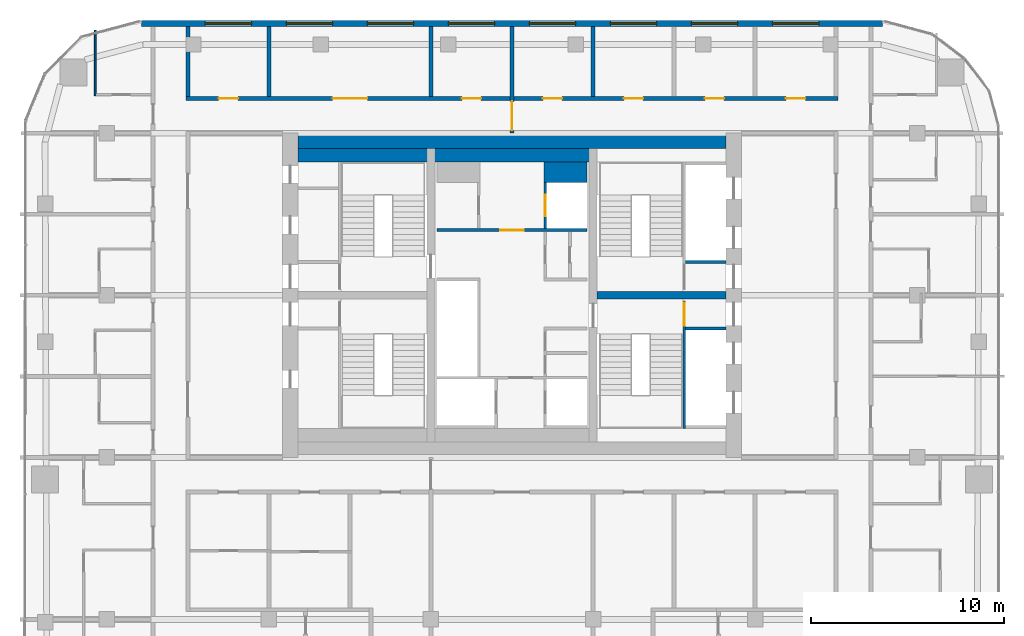
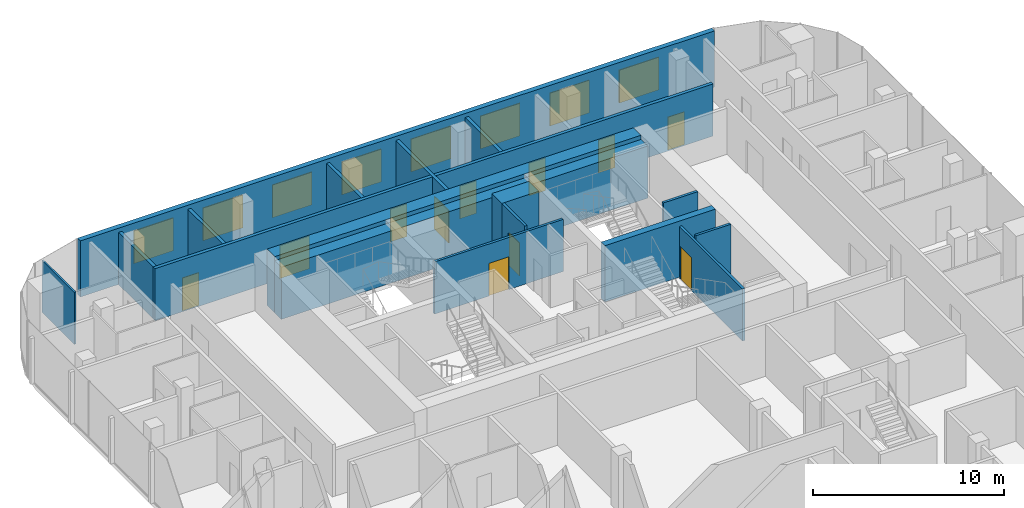
# One storey, part 19 of 22: 17 walls, 11 doors, 8 windows, 19 openings.
"""IFC4 building model written with IfcOpenShell, lengths in metres."""

from ifc_helpers import new_model, si_unit, direction, frame, frame_2d, origin, place, context, subcontext, project, spatial, rectangle, extrude, material, layer, layer_set, type_object, element, fill, save


model = new_model("IFC4")

# Units and contexts
model_context = context("Model", 3, precision=1e-05, world=origin(), true_north=direction((0.0, 1.0)))
body_context = subcontext(model_context, "Body", "Model", "MODEL_VIEW")
ifc_project = project(units=[si_unit("LENGTHUNIT", "METRE"), si_unit("AREAUNIT", "SQUARE_METRE"), si_unit("VOLUMEUNIT", "CUBIC_METRE"), si_unit("PLANEANGLEUNIT", "RADIAN"), si_unit("MASSUNIT", "GRAM", prefix="KILO")], contexts=[model_context])

# Site, building, storey
site_placement = place(None, origin())
site = spatial("IfcSite", under=ifc_project, at=site_placement, CompositionType="ELEMENT")
building_placement = place(site_placement, origin())
building = spatial("IfcBuilding", under=site, at=building_placement, Name="Marenta Gate Hotel Tower", CompositionType="ELEMENT")
storey_placement = place(building_placement, frame((0.0, 0.0, 230.89990234375)))
storey = spatial("IfcBuildingStorey", under=building, at=storey_placement, Name="L54", CompositionType="ELEMENT", Elevation=230.89990234375)

# Wall, openings, windows
ifc_material_1 = material(Name="Concrete C40 board-marked", Category="concrete")
ifc_layer_1 = layer(ifc_material_1, 0.300048828125)
ifc_layer_set_1 = layer_set([ifc_layer_1], Name="Concrete C40 board-marked")
wall_type_1 = type_object("IfcWallType", Name="Board-marked concrete wall 300 mm", PredefinedType="NOTDEFINED", material=ifc_layer_set_1)
wall_1_placement = place(storey_placement, frame((19.205810546875, 22.489990234375, 0.0), z_axis=(0.0, 0.0, 1.0), x_axis=(-1.0, 0.0, 0.0)))
wall_1 = element("IfcWall", 1, at=wall_1_placement, inside=storey, type_object=wall_type_1, Name="L54-CLD-N00", PredefinedType="NOTDEFINED", context=body_context, shape_type="SweptSolid", body=[
    extrude(rectangle(XDim=38.41162109375, YDim=0.300048828125, at=frame_2d((19.205810546875, 0.0))), origin(), (0.0, 0.0, 1.0), 3.60009765625),
])
opening_1_placement = place(wall_1_placement, frame((3.305908203125, 0.0, 0.89990234375)))
opening_1 = element("IfcOpeningElement", 2, at=opening_1_placement, cuts=wall_1, Name="Opening W1", PredefinedType="OPENING", context=body_context, shape_type="SweptSolid", body=[
    extrude(rectangle(XDim=2.39990234375, YDim=2.10009765625, at=frame_2d((1.199951171875, 1.050048828125))), frame((0.0, 0.14990234375, 0.0), z_axis=(0.0, -1.0, 0.0), x_axis=(1.0, 0.0, 0.0)), (0.0, 0.0, 1.0), 0.300048828125),
])
opening_2_placement = place(wall_1_placement, frame((7.505859375, 0.0, 0.89990234375)))
opening_2 = element("IfcOpeningElement", 3, at=opening_2_placement, cuts=wall_1, Name="Opening W1", PredefinedType="OPENING", context=body_context, shape_type="SweptSolid", body=[
    extrude(rectangle(XDim=2.39990234375, YDim=2.10009765625, at=frame_2d((1.199951171875, 1.050048828125))), frame((0.0, 0.14990234375, 0.0), z_axis=(0.0, -1.0, 0.0), x_axis=(1.0, 0.0, 0.0)), (0.0, 0.0, 1.0), 0.300048828125),
])
opening_3_placement = place(wall_1_placement, frame((11.705810546875, 0.0, 0.89990234375)))
opening_3 = element("IfcOpeningElement", 4, at=opening_3_placement, cuts=wall_1, Name="Opening W1", PredefinedType="OPENING", context=body_context, shape_type="SweptSolid", body=[
    extrude(rectangle(XDim=2.39990234375, YDim=2.10009765625, at=frame_2d((1.199951171875, 1.050048828125))), frame((0.0, 0.14990234375, 0.0), z_axis=(0.0, -1.0, 0.0), x_axis=(1.0, 0.0, 0.0)), (0.0, 0.0, 1.0), 0.300048828125),
])
opening_4_placement = place(wall_1_placement, frame((15.906005859375, 0.0, 0.89990234375)))
opening_4 = element("IfcOpeningElement", 5, at=opening_4_placement, cuts=wall_1, Name="Opening W1", PredefinedType="OPENING", context=body_context, shape_type="SweptSolid", body=[
    extrude(rectangle(XDim=2.39990234375, YDim=2.10009765625, at=frame_2d((1.199951171875, 1.050048828125))), frame((0.0, 0.14990234375, 0.0), z_axis=(0.0, -1.0, 0.0), x_axis=(1.0, 0.0, 0.0)), (0.0, 0.0, 1.0), 0.300048828125),
])
opening_5_placement = place(wall_1_placement, frame((20.10595703125, 0.0, 0.89990234375)))
opening_5 = element("IfcOpeningElement", 6, at=opening_5_placement, cuts=wall_1, Name="Opening W1", PredefinedType="OPENING", context=body_context, shape_type="SweptSolid", body=[
    extrude(rectangle(XDim=2.39990234375, YDim=2.10009765625, at=frame_2d((1.199951171875, 1.050048828125))), frame((0.0, 0.14990234375, 0.0), z_axis=(0.0, -1.0, 0.0), x_axis=(1.0, 0.0, 0.0)), (0.0, 0.0, 1.0), 0.300048828125),
])
opening_6_placement = place(wall_1_placement, frame((24.305908203125, 0.0, 0.89990234375)))
opening_6 = element("IfcOpeningElement", 7, at=opening_6_placement, cuts=wall_1, Name="Opening W1", PredefinedType="OPENING", context=body_context, shape_type="SweptSolid", body=[
    extrude(rectangle(XDim=2.39990234375, YDim=2.10009765625, at=frame_2d((1.199951171875, 1.050048828125))), frame((0.0, 0.14990234375, 0.0), z_axis=(0.0, -1.0, 0.0), x_axis=(1.0, 0.0, 0.0)), (0.0, 0.0, 1.0), 0.300048828125),
])
opening_7_placement = place(wall_1_placement, frame((28.505859375, 0.0, 0.89990234375)))
opening_7 = element("IfcOpeningElement", 8, at=opening_7_placement, cuts=wall_1, Name="Opening W1", PredefinedType="OPENING", context=body_context, shape_type="SweptSolid", body=[
    extrude(rectangle(XDim=2.39990234375, YDim=2.10009765625, at=frame_2d((1.199951171875, 1.050048828125))), frame((0.0, 0.14990234375, 0.0), z_axis=(0.0, -1.0, 0.0), x_axis=(1.0, 0.0, 0.0)), (0.0, 0.0, 1.0), 0.300048828125),
])
opening_8_placement = place(wall_1_placement, frame((32.705810546875, 0.0, 0.89990234375)))
opening_8 = element("IfcOpeningElement", 9, at=opening_8_placement, cuts=wall_1, Name="Opening W1", PredefinedType="OPENING", context=body_context, shape_type="SweptSolid", body=[
    extrude(rectangle(XDim=2.39990234375, YDim=2.10009765625, at=frame_2d((1.199951171875, 1.050048828125))), frame((0.0, 0.14990234375, 0.0), z_axis=(0.0, -1.0, 0.0), x_axis=(1.0, 0.0, 0.0)), (0.0, 0.0, 1.0), 0.300048828125),
])
ifc_material_2 = material(Name="Tinted insulated glass in bronze anodised frame", Category="glass")
window_type = type_object("IfcWindowType", Name="Window W1 2400x2100 bronze frame", PartitioningType="SINGLE_PANEL", PredefinedType="WINDOW", material=ifc_material_2)
window_1_placement = place(opening_1_placement, origin())
window_1 = element("IfcWindow", 10, at=window_1_placement, inside=storey, type_object=window_type, Name="Window W1", OverallHeight=2.10009765625, OverallWidth=2.39990234375, PartitioningType="SINGLE_PANEL", PredefinedType="WINDOW", context=body_context, shape_type="SweptSolid", body=[
    extrude(rectangle(XDim=2.39990234375, YDim=2.10009765625, at=frame_2d((1.199951171875, 1.050048828125))), frame((0.0, 0.030029296875, 0.0), z_axis=(0.0, -1.0, 0.0), x_axis=(1.0, 0.0, 0.0)), (0.0, 0.0, 1.0), 0.06005859375),
])
fill(opening_1, window_1)
window_2_placement = place(opening_2_placement, origin())
window_2 = element("IfcWindow", 11, at=window_2_placement, inside=storey, type_object=window_type, Name="Window W1", OverallHeight=2.10009765625, OverallWidth=2.39990234375, PartitioningType="SINGLE_PANEL", PredefinedType="WINDOW", context=body_context, shape_type="SweptSolid", body=[
    extrude(rectangle(XDim=2.39990234375, YDim=2.10009765625, at=frame_2d((1.199951171875, 1.050048828125))), frame((0.0, 0.030029296875, 0.0), z_axis=(0.0, -1.0, 0.0), x_axis=(1.0, 0.0, 0.0)), (0.0, 0.0, 1.0), 0.06005859375),
])
fill(opening_2, window_2)
window_3_placement = place(opening_3_placement, origin())
window_3 = element("IfcWindow", 12, at=window_3_placement, inside=storey, type_object=window_type, Name="Window W1", OverallHeight=2.10009765625, OverallWidth=2.39990234375, PartitioningType="SINGLE_PANEL", PredefinedType="WINDOW", context=body_context, shape_type="SweptSolid", body=[
    extrude(rectangle(XDim=2.39990234375, YDim=2.10009765625, at=frame_2d((1.199951171875, 1.050048828125))), frame((0.0, 0.030029296875, 0.0), z_axis=(0.0, -1.0, 0.0), x_axis=(1.0, 0.0, 0.0)), (0.0, 0.0, 1.0), 0.06005859375),
])
fill(opening_3, window_3)
window_4_placement = place(opening_4_placement, origin())
window_4 = element("IfcWindow", 13, at=window_4_placement, inside=storey, type_object=window_type, Name="Window W1", OverallHeight=2.10009765625, OverallWidth=2.39990234375, PartitioningType="SINGLE_PANEL", PredefinedType="WINDOW", context=body_context, shape_type="SweptSolid", body=[
    extrude(rectangle(XDim=2.39990234375, YDim=2.10009765625, at=frame_2d((1.199951171875, 1.050048828125))), frame((0.0, 0.030029296875, 0.0), z_axis=(0.0, -1.0, 0.0), x_axis=(1.0, 0.0, 0.0)), (0.0, 0.0, 1.0), 0.06005859375),
])
fill(opening_4, window_4)
window_5_placement = place(opening_5_placement, origin())
window_5 = element("IfcWindow", 14, at=window_5_placement, inside=storey, type_object=window_type, Name="Window W1", OverallHeight=2.10009765625, OverallWidth=2.39990234375, PartitioningType="SINGLE_PANEL", PredefinedType="WINDOW", context=body_context, shape_type="SweptSolid", body=[
    extrude(rectangle(XDim=2.39990234375, YDim=2.10009765625, at=frame_2d((1.199951171875, 1.050048828125))), frame((0.0, 0.030029296875, 0.0), z_axis=(0.0, -1.0, 0.0), x_axis=(1.0, 0.0, 0.0)), (0.0, 0.0, 1.0), 0.06005859375),
])
fill(opening_5, window_5)
window_6_placement = place(opening_6_placement, origin())
window_6 = element("IfcWindow", 15, at=window_6_placement, inside=storey, type_object=window_type, Name="Window W1", OverallHeight=2.10009765625, OverallWidth=2.39990234375, PartitioningType="SINGLE_PANEL", PredefinedType="WINDOW", context=body_context, shape_type="SweptSolid", body=[
    extrude(rectangle(XDim=2.39990234375, YDim=2.10009765625, at=frame_2d((1.199951171875, 1.050048828125))), frame((0.0, 0.030029296875, 0.0), z_axis=(0.0, -1.0, 0.0), x_axis=(1.0, 0.0, 0.0)), (0.0, 0.0, 1.0), 0.06005859375),
])
fill(opening_6, window_6)
window_7_placement = place(opening_7_placement, origin())
window_7 = element("IfcWindow", 16, at=window_7_placement, inside=storey, type_object=window_type, Name="Window W1", OverallHeight=2.10009765625, OverallWidth=2.39990234375, PartitioningType="SINGLE_PANEL", PredefinedType="WINDOW", context=body_context, shape_type="SweptSolid", body=[
    extrude(rectangle(XDim=2.39990234375, YDim=2.10009765625, at=frame_2d((1.199951171875, 1.050048828125))), frame((0.0, 0.030029296875, 0.0), z_axis=(0.0, -1.0, 0.0), x_axis=(1.0, 0.0, 0.0)), (0.0, 0.0, 1.0), 0.06005859375),
])
fill(opening_7, window_7)
window_8_placement = place(opening_8_placement, origin())
window_8 = element("IfcWindow", 17, at=window_8_placement, inside=storey, type_object=window_type, Name="Window W1", OverallHeight=2.10009765625, OverallWidth=2.39990234375, PartitioningType="SINGLE_PANEL", PredefinedType="WINDOW", context=body_context, shape_type="SweptSolid", body=[
    extrude(rectangle(XDim=2.39990234375, YDim=2.10009765625, at=frame_2d((1.199951171875, 1.050048828125))), frame((0.0, 0.030029296875, 0.0), z_axis=(0.0, -1.0, 0.0), x_axis=(1.0, 0.0, 0.0)), (0.0, 0.0, 1.0), 0.06005859375),
])
fill(opening_8, window_8)

# Wall, opening, door
ifc_material_3 = material(Name="Concrete blockwork", Category="masonry")
ifc_layer_2 = layer(ifc_material_3, 0.199951171875)
ifc_layer_set_2 = layer_set([ifc_layer_2], Name="Concrete blockwork")
wall_type_2 = type_object("IfcWallType", Name="Compartment wall 200 REI 180", PredefinedType="PARTITIONING", material=ifc_layer_set_2)
wall_2_placement = place(storey_placement, frame((0.0, 16.800048828125, 0.0), z_axis=(0.0, 0.0, 1.0), x_axis=(0.0, 1.0, 0.0)))
wall_2 = element("IfcWall", 18, at=wall_2_placement, inside=storey, type_object=wall_type_2, Name="L54-PTN-W073", PredefinedType="PARTITIONING", context=body_context, shape_type="SweptSolid", body=[
    extrude(rectangle(XDim=5.5400390625, YDim=0.199951171875, at=frame_2d((2.77001953125, 0.0))), origin(), (0.0, 0.0, 1.0), 3.340087890625),
])
opening_9_placement = place(wall_2_placement, frame((0.14990234375, 0.0, 0.0)))
opening_9 = element("IfcOpeningElement", 19, at=opening_9_placement, cuts=wall_2, Name="Opening G20-FD1", PredefinedType="OPENING", context=body_context, shape_type="SweptSolid", body=[
    extrude(rectangle(XDim=1.5, YDim=2.10009765625, at=frame_2d((0.75, 1.050048828125))), frame((0.0, 0.10009765625, 0.0), z_axis=(0.0, -1.0, 0.0), x_axis=(1.0, 0.0, 0.0)), (0.0, 0.0, 1.0), 0.199951171875),
])
ifc_material_4 = material(Name="Hollow steel door set", Category="steel")
door_type_1 = type_object("IfcDoorType", Name="Compartment fire door 1500x2100 EI 60", OperationType="DOUBLE_DOOR_DOUBLE_SWING", PredefinedType="DOOR", material=ifc_material_4)
door_1_placement = place(opening_9_placement, origin())
door_1 = element("IfcDoor", 20, at=door_1_placement, inside=storey, type_object=door_type_1, Name="L54-PD-FD01", OperationType="DOUBLE_DOOR_DOUBLE_SWING", OverallHeight=2.10009765625, OverallWidth=1.5, PredefinedType="DOOR", context=body_context, shape_type="SweptSolid", body=[
    extrude(rectangle(XDim=1.5, YDim=2.10009765625, at=frame_2d((0.75, 1.050048828125))), frame((0.0, 0.02490234375, 0.0), z_axis=(0.0, -1.0, 0.0), x_axis=(1.0, 0.0, 0.0)), (0.0, 0.0, 1.0), 0.050048828125),
])
fill(opening_9, door_1)

# Wall
ifc_material_5 = material(Name="Concrete C40", Category="concrete")
ifc_layer_3 = layer(ifc_material_5, 0.699951171875)
ifc_layer_set_3 = layer_set([ifc_layer_3], Name="Concrete C40")
wall_type_3 = type_object("IfcWallType", Name="Core lining wall 700 REI 180", PredefinedType="PARTITIONING", material=ifc_layer_set_3)
wall_3_placement = place(storey_placement, frame((-11.10009765625, 15.64990234375, 0.0), z_axis=(0.0, 0.0, 1.0), x_axis=(1.0, 0.0, 0.0)))
element("IfcWall", 21, at=wall_3_placement, inside=storey, type_object=wall_type_3, Name="L54-CP-LN-N", PredefinedType="PARTITIONING", context=body_context, shape_type="SweptSolid", body=[
    extrude(rectangle(XDim=22.2001953125, YDim=0.699951171875, at=frame_2d((11.10009765625, 0.0))), origin(), (0.0, 0.0, 1.0), 3.340087890625),
])

# Wall, opening, door
ifc_material_6 = material(Name="Concrete blockwork", Category="masonry")
ifc_layer_4 = layer(ifc_material_6, 0.14990234375)
ifc_layer_set_4 = layer_set([ifc_layer_4], Name="Concrete blockwork")
wall_type_4 = type_object("IfcWallType", Name="Core lobby partition 150 REI 180", PredefinedType="PARTITIONING", material=ifc_layer_set_4)
wall_4_placement = place(storey_placement, frame((-3.89990234375, 11.77490234375, 0.0), z_axis=(0.0, 0.0, 1.0), x_axis=(1.0, 0.0, 0.0)))
wall_4 = element("IfcWall", 22, at=wall_4_placement, inside=storey, type_object=wall_type_4, Name="L54-CP-CW-N", PredefinedType="PARTITIONING", context=body_context, shape_type="SweptSolid", body=[
    extrude(rectangle(XDim=7.7998046875, YDim=0.14990234375, at=frame_2d((3.89990234375, 0.0))), origin(), (0.0, 0.0, 1.0), 3.340087890625),
])
opening_10_placement = place(wall_4_placement, frame((3.300048828125, 0.0, 0.0)))
opening_10 = element("IfcOpeningElement", 23, at=opening_10_placement, cuts=wall_4, Name="Opening FD-FFN", PredefinedType="OPENING", context=body_context, shape_type="SweptSolid", body=[
    extrude(rectangle(XDim=1.199951171875, YDim=2.10009765625, at=frame_2d((0.60009765625, 1.050048828125))), frame((0.0, 0.074951171875, 0.0), z_axis=(0.0, -1.0, 0.0), x_axis=(1.0, 0.0, 0.0)), (0.0, 0.0, 1.0), 0.14990234375),
])
ifc_material_7 = material(Name="Steel", Category="steel")
door_type_2 = type_object("IfcDoorType", Name="Core lobby door 1200x2100 FD60", OperationType="SINGLE_SWING_LEFT", PredefinedType="DOOR", material=ifc_material_7)
door_2_placement = place(opening_10_placement, origin())
door_2 = element("IfcDoor", 24, at=door_2_placement, inside=storey, type_object=door_type_2, Name="FD-FFN", OperationType="SINGLE_SWING_LEFT", OverallHeight=2.10009765625, OverallWidth=1.199951171875, PredefinedType="DOOR", context=body_context, shape_type="SweptSolid", body=[
    extrude(rectangle(XDim=1.199951171875, YDim=2.10009765625, at=frame_2d((0.60009765625, 1.050048828125))), frame((0.0, 0.02490234375, 0.0), z_axis=(0.0, -1.0, 0.0), x_axis=(1.0, 0.0, 0.0)), (0.0, 0.0, 1.0), 0.050048828125),
])
fill(opening_10, door_2)

# Walls
ifc_material_8 = material(Name="Concrete C40", Category="concrete")
ifc_layer_5 = layer(ifc_material_8, 1.050048828125)
ifc_layer_set_5 = layer_set([ifc_layer_5], Name="Concrete C40")
wall_type_5 = type_object("IfcWallType", Name="Core shaft wall 1050 REI 180", PredefinedType="SHEAR", material=ifc_layer_set_5)
wall_5_placement = place(storey_placement, frame((1.64990234375, 14.77490234375, 0.0), z_axis=(0.0, 0.0, 1.0), x_axis=(1.0, 0.0, 0.0)))
element("IfcWall", 25, at=wall_5_placement, inside=storey, type_object=wall_type_5, Name="L54-SHF-CE-N-top", PredefinedType="SHEAR", context=body_context, shape_type="SweptSolid", body=[
    extrude(rectangle(XDim=2.25, YDim=1.050048828125, at=frame_2d((1.125, 0.0))), origin(), (0.0, 0.0, 1.0), 3.60009765625),
])
ifc_material_9 = material(Name="Concrete C40", Category="concrete")
ifc_layer_6 = layer(ifc_material_9, 0.14990234375)
ifc_layer_set_6 = layer_set([ifc_layer_6], Name="Concrete C40")
wall_type_6 = type_object("IfcWallType", Name="Core shaft wall 150 REI 180", PredefinedType="SHEAR", material=ifc_layer_set_6)
for number, where, z_axis, x_axis, name in (
    (26, (9.0, 6.675048828125, 0.0), (0.0, 0.0, 1.0), (1.0, 0.0, 0.0), "L54-SHF-SW-ES-2"),
    (27, (9.0, 10.125, 0.0), (0.0, 0.0, 1.0), (1.0, 0.0, 0.0), "L54-SHF-SW-EN-2"),
):
    element("IfcWall", number, at=place(storey_placement, frame(where, z_axis=z_axis, x_axis=x_axis)), inside=storey, type_object=wall_type_6, Name=name, PredefinedType="SHEAR", context=body_context, shape_type="SweptSolid", body=[
        extrude(rectangle(XDim=2.10009765625, YDim=0.14990234375, at=frame_2d((1.050048828125, 0.0))), origin(), (0.0, 0.0, 1.0), 3.60009765625),
    ])

# Wall, opening, door
wall_6_placement = place(storey_placement, frame((1.72509765625, 11.85009765625, 0.0), z_axis=(0.0, 0.0, 1.0), x_axis=(0.0, 1.0, 0.0)))
wall_6 = element("IfcWall", 28, at=wall_6_placement, inside=storey, type_object=wall_type_6, Name="L54-SHF-CE-N-front2", PredefinedType="SHEAR", context=body_context, shape_type="SweptSolid", body=[
    extrude(rectangle(XDim=2.39990234375, YDim=0.14990234375, at=frame_2d((1.199951171875, 0.0))), origin(), (0.0, 0.0, 1.0), 3.60009765625),
])
opening_11_placement = place(wall_6_placement, frame((0.64990234375, 0.0, 0.0)))
opening_11 = element("IfcOpeningElement", 29, at=opening_11_placement, cuts=wall_6, Name="Opening LD-FF2", PredefinedType="OPENING", context=body_context, shape_type="SweptSolid", body=[
    extrude(rectangle(XDim=1.10009765625, YDim=2.10009765625, at=frame_2d((0.550048828125, 1.050048828125))), frame((0.0, 0.074951171875, 0.0), z_axis=(0.0, -1.0, 0.0), x_axis=(1.0, 0.0, 0.0)), (0.0, 0.0, 1.0), 0.14990234375),
])
ifc_material_10 = material(Name="Steel", Category="steel")
door_type_3 = type_object("IfcDoorType", Name="Core lift landing door 1100x2100 E 60", OperationType="SLIDING_TO_LEFT", PredefinedType="DOOR", material=ifc_material_10)
door_3_placement = place(opening_11_placement, origin())
door_3 = element("IfcDoor", 30, at=door_3_placement, inside=storey, type_object=door_type_3, Name="LD-FF2", OperationType="SLIDING_TO_LEFT", OverallHeight=2.10009765625, OverallWidth=1.10009765625, PredefinedType="DOOR", context=body_context, shape_type="SweptSolid", body=[
    extrude(rectangle(XDim=1.10009765625, YDim=2.10009765625, at=frame_2d((0.550048828125, 1.050048828125))), frame((0.0, 0.02490234375, 0.0), z_axis=(0.0, -1.0, 0.0), x_axis=(1.0, 0.0, 0.0)), (0.0, 0.0, 1.0), 0.050048828125),
])
fill(opening_11, door_3)

ifc_material_11 = material(Name="Concrete C40", Category="concrete")
ifc_layer_7 = layer(ifc_material_11, 0.14990234375)
ifc_layer_set_7 = layer_set([ifc_layer_7], Name="Concrete C40")
wall_type_7 = type_object("IfcWallType", Name="Core stair enclosure wall 150 REI 180", PredefinedType="SHEAR", material=ifc_layer_set_7)
wall_7_placement = place(storey_placement, frame((8.925048828125, 1.5, 0.0), z_axis=(0.0, 0.0, 1.0), x_axis=(0.0, 1.0, 0.0)))
wall_7 = element("IfcWall", 31, at=wall_7_placement, inside=storey, type_object=wall_type_7, Name="L54-SHF-SW-ES-3", PredefinedType="SHEAR", context=body_context, shape_type="SweptSolid", body=[
    extrude(rectangle(XDim=6.60009765625, YDim=0.14990234375, at=frame_2d((3.300048828125, 0.0))), origin(), (0.0, 0.0, 1.0), 3.340087890625),
])
opening_12_placement = place(wall_7_placement, frame((5.324951171875, 0.0, 0.0)))
opening_12 = element("IfcOpeningElement", 32, at=opening_12_placement, cuts=wall_7, Name="Opening SD-ES", PredefinedType="OPENING", context=body_context, shape_type="SweptSolid", body=[
    extrude(rectangle(XDim=1.199951171875, YDim=2.10009765625, at=frame_2d((0.60009765625, 1.050048828125))), frame((0.0, 0.074951171875, 0.0), z_axis=(0.0, -1.0, 0.0), x_axis=(1.0, 0.0, 0.0)), (0.0, 0.0, 1.0), 0.14990234375),
])
ifc_material_12 = material(Name="Steel", Category="steel")
door_type_4 = type_object("IfcDoorType", Name="Core stair door 1200x2100 FD60", OperationType="SINGLE_SWING_LEFT", PredefinedType="DOOR", material=ifc_material_12)
door_4_placement = place(opening_12_placement, origin())
door_4 = element("IfcDoor", 33, at=door_4_placement, inside=storey, type_object=door_type_4, Name="SD-ES", OperationType="SINGLE_SWING_LEFT", OverallHeight=2.10009765625, OverallWidth=1.199951171875, PredefinedType="DOOR", context=body_context, shape_type="SweptSolid", body=[
    extrude(rectangle(XDim=1.199951171875, YDim=2.10009765625, at=frame_2d((0.60009765625, 1.050048828125))), frame((0.0, 0.02490234375, 0.0), z_axis=(0.0, -1.0, 0.0), x_axis=(1.0, 0.0, 0.0)), (0.0, 0.0, 1.0), 0.050048828125),
])
fill(opening_12, door_4)

# Walls
ifc_material_13 = material(Name="Concrete C60", Category="concrete")
ifc_layer_8 = layer(ifc_material_13, 0.800048828125)
ifc_layer_set_8 = layer_set([ifc_layer_8], Name="Concrete C60")
wall_type_8 = type_object("IfcWallType", Name="Core wall 800 C60", PredefinedType="SHEAR", material=ifc_layer_set_8)
wall_8_placement = place(storey_placement, frame((-11.10009765625, 16.39990234375, 0.0), z_axis=(0.0, 0.0, 1.0), x_axis=(1.0, 0.0, 0.0)))
element("IfcWall", 34, at=wall_8_placement, inside=storey, type_object=wall_type_8, Name="L54-CORE-N", PredefinedType="SHEAR", context=body_context, shape_type="SweptSolid", body=[
    extrude(rectangle(XDim=22.2001953125, YDim=0.800048828125, at=frame_2d((11.10009765625, 0.0))), origin(), (0.0, 0.0, 1.0), 3.60009765625),
])
ifc_material_14 = material(Name="Concrete C60", Category="concrete")
ifc_layer_9 = layer(ifc_material_14, 0.39990234375)
ifc_layer_set_9 = layer_set([ifc_layer_9], Name="Concrete C60")
wall_type_9 = type_object("IfcWallType", Name="Core web 400 C60", PredefinedType="SHEAR", material=ifc_layer_set_9)
wall_9_placement = place(storey_placement, frame((4.39990234375, 8.39990234375, 0.0), z_axis=(0.0, 0.0, 1.0), x_axis=(1.0, 0.0, 0.0)))
element("IfcWall", 35, at=wall_9_placement, inside=storey, type_object=wall_type_9, Name="L54-CORE-W4", PredefinedType="SHEAR", context=body_context, shape_type="SweptSolid", body=[
    extrude(rectangle(XDim=6.7001953125, YDim=0.39990234375, at=frame_2d((3.35009765625, 0.0))), origin(), (0.0, 0.0, 1.0), 3.60009765625),
])
ifc_material_15 = material(Name="Gypsum board on steel stud", Category="steel")
ifc_layer_10 = layer(ifc_material_15, 0.199951171875)
ifc_layer_set_10 = layer_set([ifc_layer_10], Name="Gypsum board on steel stud")
wall_type_10 = type_object("IfcWallType", Name="Room corridor wall 200 EI 60", PredefinedType="PARTITIONING", material=ifc_layer_set_10)
wall_10_placement = place(storey_placement, frame((-16.800048828125, 18.699951171875, 0.0), z_axis=(0.0, 0.0, 1.0), x_axis=(0.0, 1.0, 0.0)))
element("IfcWall", 36, at=wall_10_placement, inside=storey, type_object=wall_type_10, Name="L54-PTN-W110", PredefinedType="PARTITIONING", context=body_context, shape_type="SweptSolid", body=[
    extrude(rectangle(XDim=3.64013671875, YDim=0.199951171875, at=frame_2d((1.820068359375, 0.0))), origin(), (0.0, 0.0, 1.0), 3.340087890625),
])

# Wall, openings, doors
wall_11_placement = place(storey_placement, frame((-16.89990234375, 18.60009765625, 0.0), z_axis=(0.0, 0.0, 1.0), x_axis=(1.0, 0.0, 0.0)))
wall_11 = element("IfcWall", 37, at=wall_11_placement, inside=storey, type_object=wall_type_10, Name="L54-PTN-W114", PredefinedType="PARTITIONING", context=body_context, shape_type="SweptSolid", body=[
    extrude(rectangle(XDim=33.7998046875, YDim=0.199951171875, at=frame_2d((16.89990234375, 0.0))), origin(), (0.0, 0.0, 1.0), 3.340087890625),
])
opening_13_placement = place(wall_11_placement, frame((1.699951171875, 0.0, 0.0)))
opening_13 = element("IfcOpeningElement", 38, at=opening_13_placement, cuts=wall_11, Name="Opening G20-35", PredefinedType="OPENING", context=body_context, shape_type="SweptSolid", body=[
    extrude(rectangle(XDim=1.0, YDim=2.10009765625, at=frame_2d((0.5, 1.050048828125))), frame((0.0, 0.10009765625, 0.0), z_axis=(0.0, -1.0, 0.0), x_axis=(1.0, 0.0, 0.0)), (0.0, 0.0, 1.0), 0.199951171875),
])
opening_14_placement = place(wall_11_placement, frame((7.60009765625, 0.0, 0.0)))
opening_14 = element("IfcOpeningElement", 39, at=opening_14_placement, cuts=wall_11, Name="Opening G20-36", PredefinedType="OPENING", context=body_context, shape_type="SweptSolid", body=[
    extrude(rectangle(XDim=1.800048828125, YDim=2.10009765625, at=frame_2d((0.89990234375, 1.050048828125))), frame((0.0, 0.10009765625, 0.0), z_axis=(0.0, -1.0, 0.0), x_axis=(1.0, 0.0, 0.0)), (0.0, 0.0, 1.0), 0.199951171875),
])
opening_15_placement = place(wall_11_placement, frame((31.10009765625, 0.0, 0.0)))
opening_15 = element("IfcOpeningElement", 40, at=opening_15_placement, cuts=wall_11, Name="Opening G20-37", PredefinedType="OPENING", context=body_context, shape_type="SweptSolid", body=[
    extrude(rectangle(XDim=1.0, YDim=2.10009765625, at=frame_2d((0.5, 1.050048828125))), frame((0.0, 0.10009765625, 0.0), z_axis=(0.0, -1.0, 0.0), x_axis=(1.0, 0.0, 0.0)), (0.0, 0.0, 1.0), 0.199951171875),
])
opening_16_placement = place(wall_11_placement, frame((22.699951171875, 0.0, 0.0)))
opening_16 = element("IfcOpeningElement", 41, at=opening_16_placement, cuts=wall_11, Name="Opening G20-74", PredefinedType="OPENING", context=body_context, shape_type="SweptSolid", body=[
    extrude(rectangle(XDim=1.0, YDim=2.10009765625, at=frame_2d((0.5, 1.050048828125))), frame((0.0, 0.10009765625, 0.0), z_axis=(0.0, -1.0, 0.0), x_axis=(1.0, 0.0, 0.0)), (0.0, 0.0, 1.0), 0.199951171875),
])
opening_17_placement = place(wall_11_placement, frame((26.89990234375, 0.0, 0.0)))
opening_17 = element("IfcOpeningElement", 42, at=opening_17_placement, cuts=wall_11, Name="Opening G20-75", PredefinedType="OPENING", context=body_context, shape_type="SweptSolid", body=[
    extrude(rectangle(XDim=1.0, YDim=2.10009765625, at=frame_2d((0.5, 1.050048828125))), frame((0.0, 0.10009765625, 0.0), z_axis=(0.0, -1.0, 0.0), x_axis=(1.0, 0.0, 0.0)), (0.0, 0.0, 1.0), 0.199951171875),
])
opening_18_placement = place(wall_11_placement, frame((14.300048828125, 0.0, 0.0)))
opening_18 = element("IfcOpeningElement", 43, at=opening_18_placement, cuts=wall_11, Name="Opening G20-76", PredefinedType="OPENING", context=body_context, shape_type="SweptSolid", body=[
    extrude(rectangle(XDim=1.0, YDim=2.10009765625, at=frame_2d((0.5, 1.050048828125))), frame((0.0, 0.10009765625, 0.0), z_axis=(0.0, -1.0, 0.0), x_axis=(1.0, 0.0, 0.0)), (0.0, 0.0, 1.0), 0.199951171875),
])
opening_19_placement = place(wall_11_placement, frame((18.5, 0.0, 0.0)))
opening_19 = element("IfcOpeningElement", 44, at=opening_19_placement, cuts=wall_11, Name="Opening G20-77", PredefinedType="OPENING", context=body_context, shape_type="SweptSolid", body=[
    extrude(rectangle(XDim=1.0, YDim=2.10009765625, at=frame_2d((0.5, 1.050048828125))), frame((0.0, 0.10009765625, 0.0), z_axis=(0.0, -1.0, 0.0), x_axis=(1.0, 0.0, 0.0)), (0.0, 0.0, 1.0), 0.199951171875),
])
ifc_material_16 = material(Name="Timber door leaf", Category="wood")
door_type_5 = type_object("IfcDoorType", Name="Room amenity door 1000x2100 EI 30", OperationType="NOTDEFINED", PredefinedType="DOOR", material=ifc_material_16)
door_5_placement = place(opening_13_placement, origin())
door_5 = element("IfcDoor", 45, at=door_5_placement, inside=storey, type_object=door_type_5, Name="L54-PD-D035", OperationType="SINGLE_SWING_LEFT", OverallHeight=2.10009765625, OverallWidth=1.0, PredefinedType="DOOR", context=body_context, shape_type="SweptSolid", body=[
    extrude(rectangle(XDim=1.0, YDim=2.10009765625, at=frame_2d((0.5, 1.050048828125))), frame((0.0, 0.02490234375, 0.0), z_axis=(0.0, -1.0, 0.0), x_axis=(1.0, 0.0, 0.0)), (0.0, 0.0, 1.0), 0.050048828125),
])
fill(opening_13, door_5)
door_6_placement = place(opening_15_placement, origin())
door_6 = element("IfcDoor", 46, at=door_6_placement, inside=storey, type_object=door_type_5, Name="L54-PD-D037", OperationType="SINGLE_SWING_LEFT", OverallHeight=2.10009765625, OverallWidth=1.0, PredefinedType="DOOR", context=body_context, shape_type="SweptSolid", body=[
    extrude(rectangle(XDim=1.0, YDim=2.10009765625, at=frame_2d((0.5, 1.050048828125))), frame((0.0, 0.02490234375, 0.0), z_axis=(0.0, -1.0, 0.0), x_axis=(1.0, 0.0, 0.0)), (0.0, 0.0, 1.0), 0.050048828125),
])
fill(opening_15, door_6)
door_7_placement = place(opening_16_placement, origin())
door_7 = element("IfcDoor", 47, at=door_7_placement, inside=storey, type_object=door_type_5, Name="L54-PD-D074", OperationType="SINGLE_SWING_RIGHT", OverallHeight=2.10009765625, OverallWidth=1.0, PredefinedType="DOOR", context=body_context, shape_type="SweptSolid", body=[
    extrude(rectangle(XDim=1.0, YDim=2.10009765625, at=frame_2d((0.5, 1.050048828125))), frame((0.0, 0.02490234375, 0.0), z_axis=(0.0, -1.0, 0.0), x_axis=(1.0, 0.0, 0.0)), (0.0, 0.0, 1.0), 0.050048828125),
])
fill(opening_16, door_7)
door_8_placement = place(opening_17_placement, origin())
door_8 = element("IfcDoor", 48, at=door_8_placement, inside=storey, type_object=door_type_5, Name="L54-PD-D075", OperationType="SINGLE_SWING_LEFT", OverallHeight=2.10009765625, OverallWidth=1.0, PredefinedType="DOOR", context=body_context, shape_type="SweptSolid", body=[
    extrude(rectangle(XDim=1.0, YDim=2.10009765625, at=frame_2d((0.5, 1.050048828125))), frame((0.0, 0.02490234375, 0.0), z_axis=(0.0, -1.0, 0.0), x_axis=(1.0, 0.0, 0.0)), (0.0, 0.0, 1.0), 0.050048828125),
])
fill(opening_17, door_8)
door_9_placement = place(opening_18_placement, origin())
door_9 = element("IfcDoor", 49, at=door_9_placement, inside=storey, type_object=door_type_5, Name="L54-PD-D076", OperationType="SINGLE_SWING_RIGHT", OverallHeight=2.10009765625, OverallWidth=1.0, PredefinedType="DOOR", context=body_context, shape_type="SweptSolid", body=[
    extrude(rectangle(XDim=1.0, YDim=2.10009765625, at=frame_2d((0.5, 1.050048828125))), frame((0.0, 0.02490234375, 0.0), z_axis=(0.0, -1.0, 0.0), x_axis=(1.0, 0.0, 0.0)), (0.0, 0.0, 1.0), 0.050048828125),
])
fill(opening_18, door_9)
door_10_placement = place(opening_19_placement, origin())
door_10 = element("IfcDoor", 50, at=door_10_placement, inside=storey, type_object=door_type_5, Name="L54-PD-D077", OperationType="SINGLE_SWING_LEFT", OverallHeight=2.10009765625, OverallWidth=1.0, PredefinedType="DOOR", context=body_context, shape_type="SweptSolid", body=[
    extrude(rectangle(XDim=1.0, YDim=2.10009765625, at=frame_2d((0.5, 1.050048828125))), frame((0.0, 0.02490234375, 0.0), z_axis=(0.0, -1.0, 0.0), x_axis=(1.0, 0.0, 0.0)), (0.0, 0.0, 1.0), 0.050048828125),
])
fill(opening_19, door_10)
ifc_material_17 = material(Name="Timber door leaf", Category="wood")
door_type_6 = type_object("IfcDoorType", Name="Room amenity door 1800x2100 EI 30", OperationType="DOUBLE_DOOR_SINGLE_SWING", PredefinedType="DOOR", material=ifc_material_17)
door_11_placement = place(opening_14_placement, origin())
door_11 = element("IfcDoor", 51, at=door_11_placement, inside=storey, type_object=door_type_6, Name="L54-PD-D036", OperationType="DOUBLE_DOOR_SINGLE_SWING", OverallHeight=2.10009765625, OverallWidth=1.800048828125, PredefinedType="DOOR", context=body_context, shape_type="SweptSolid", body=[
    extrude(rectangle(XDim=1.800048828125, YDim=2.10009765625, at=frame_2d((0.89990234375, 1.050048828125))), frame((0.0, 0.02490234375, 0.0), z_axis=(0.0, -1.0, 0.0), x_axis=(1.0, 0.0, 0.0)), (0.0, 0.0, 1.0), 0.050048828125),
])
fill(opening_14, door_11)

# Walls
ifc_material_18 = material(Name="Gypsum board on steel stud", Category="steel")
ifc_layer_11 = layer(ifc_material_18, 0.10009765625)
ifc_layer_set_11 = layer_set([ifc_layer_11], Name="Gypsum board on steel stud")
wall_type_11 = type_object("IfcWallType", Name="Room partition 100", PredefinedType="PARTITIONING", material=ifc_layer_set_11)
wall_12_placement = place(storey_placement, frame((-21.60009765625, 18.75, 0.0), z_axis=(0.0, 0.0, 1.0), x_axis=(0.0, 1.0, 0.0)))
element("IfcWall", 52, at=wall_12_placement, inside=storey, type_object=wall_type_11, Name="L54-PTN-W122", PredefinedType="PARTITIONING", context=body_context, shape_type="SweptSolid", body=[
    extrude(rectangle(XDim=3.39501953125, YDim=0.10009765625, at=frame_2d((1.697509765625, 0.0))), origin(), (0.0, 0.0, 1.0), 3.340087890625),
])
ifc_material_19 = material(Name="Gypsum board on steel stud", Category="steel")
ifc_layer_12 = layer(ifc_material_19, 0.199951171875)
ifc_layer_set_12 = layer_set([ifc_layer_12], Name="Gypsum board on steel stud")
wall_type_12 = type_object("IfcWallType", Name="Room party wall 200 EI 60", PredefinedType="PARTITIONING", material=ifc_layer_set_12)
for number, where, z_axis, x_axis, name in (
    (53, (4.199951171875, 18.699951171875, 0.0), (0.0, 0.0, 1.0), (0.0, 1.0, 0.0), "L54-PTN-W066"),
    (54, (-4.199951171875, 18.699951171875, 0.0), (0.0, 0.0, 1.0), (0.0, 1.0, 0.0), "L54-PTN-W081"),
    (55, (-12.60009765625, 18.699951171875, 0.0), (0.0, 0.0, 1.0), (0.0, 1.0, 0.0), "L54-PTN-W100"),
):
    element("IfcWall", number, at=place(storey_placement, frame(where, z_axis=z_axis, x_axis=x_axis)), inside=storey, type_object=wall_type_12, Name=name, PredefinedType="PARTITIONING", context=body_context, shape_type="SweptSolid", body=[
        extrude(rectangle(XDim=3.64013671875, YDim=0.199951171875, at=frame_2d((1.820068359375, 0.0))), origin(), (0.0, 0.0, 1.0), 3.340087890625),
    ])

save(model, "model.ifc")
